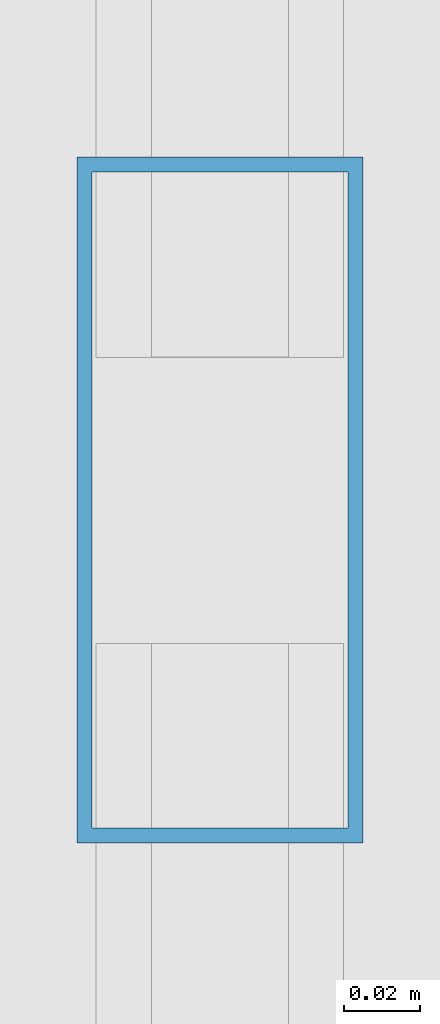
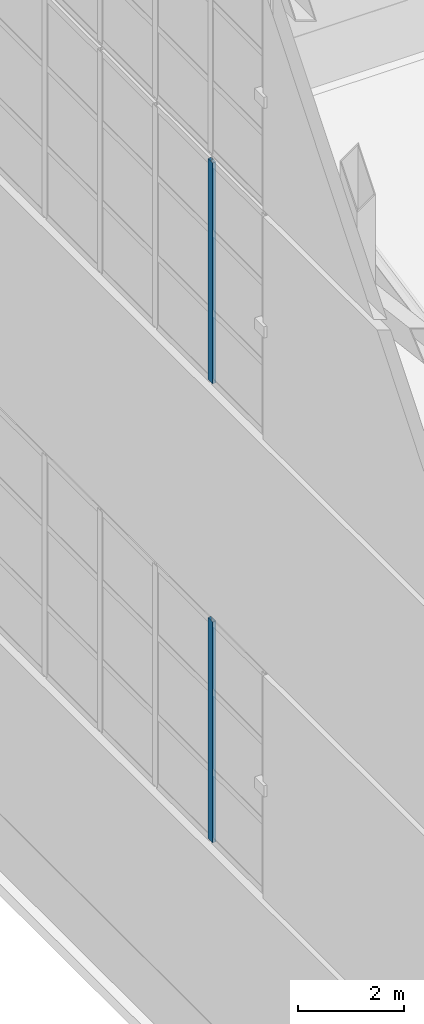
# One storey, part 5 of 47: 2 members, 2 elements without a shape of their own.
"""IFC4 building model written with IfcOpenShell, lengths in metres."""

from ifc_helpers import new_model, si_unit, direction, frame, origin, origin_2d, place, context, subcontext, project, spatial, hollow_rectangle, extrude, material, layer, layer_set, material_profile, profile_set, type_object, element, aggregate, save


model = new_model("IFC4")

# Units and contexts
model_context = context("Model", 3, precision=1e-05, world=origin(), true_north=direction((0.0, 1.0)))
body_context = subcontext(model_context, "Body", "Model", "MODEL_VIEW")
ifc_project = project(units=[si_unit("LENGTHUNIT", "METRE"), si_unit("AREAUNIT", "SQUARE_METRE"), si_unit("VOLUMEUNIT", "CUBIC_METRE"), si_unit("PLANEANGLEUNIT", "RADIAN"), si_unit("MASSUNIT", "GRAM", prefix="KILO")], contexts=[model_context])

# Site, building, storey
site_placement = place(None, origin())
site = spatial("IfcSite", under=ifc_project, at=site_placement, CompositionType="ELEMENT")
building_placement = place(site_placement, origin())
building = spatial("IfcBuilding", under=site, at=building_placement, Name="Qiaolan Cultural Towers", CompositionType="ELEMENT")
storey_placement = place(building_placement, frame((0.0, 0.0, 280.199951171875)))
storey = spatial("IfcBuildingStorey", under=building, at=storey_placement, Name="RF", CompositionType="ELEMENT", Elevation=280.199951171875)

# Curtain wall, member
ifc_material_1 = material(Name="Unitized Anodized Aluminium Curtain Wall System", Category="aluminium")
ifc_layer = layer(ifc_material_1, 0.199951171875)
ifc_layer_set = layer_set([ifc_layer], Name="Unitized Anodized Aluminium Curtain Wall System")
curtain_wall_type = type_object("IfcCurtainWallType", Name="CWS-06", PredefinedType="NOTDEFINED", material=ifc_layer_set)
curtain_wall_1_placement = place(storey_placement, origin())
curtain_wall_1 = element("IfcCurtainWall", 1, at=curtain_wall_1_placement, inside=storey, type_object=curtain_wall_type, Name="T1 Crown Tier 2 Fritted Screen Curtain Wall 7", PredefinedType="NOTDEFINED")
ifc_material_2 = material(Name="Extruded Aluminium 6063-T6", Category="aluminium")
ifc_material_profile = material_profile(ifc_material_2, hollow_rectangle(XDim=0.074951171875, YDim=0.179931640625, WallThickness=0.00390625, at=origin_2d()), Name="CWM-180x75x4")
ifc_profile_set = profile_set([ifc_material_profile], Name="Extruded Aluminium 6063-T6")
member_type = type_object("IfcMemberType", Name="CWS-06-MUL", PredefinedType="MULLION", material=ifc_profile_set)
member_1_placement = place(storey_placement, frame((14.949951171875, 29.820068359375, 5.400146484375), z_axis=(0.0, 0.0, 1.0), x_axis=(1.0, 0.0, 0.0)))
member_1 = element("IfcMember", 2, at=member_1_placement, type_object=member_type, Name="CW-6 mullion 6", PredefinedType="MULLION", context=body_context, shape_type="SweptSolid", body=[
    extrude(hollow_rectangle(XDim=0.074951171875, YDim=0.179931640625, WallThickness=0.00390625, at=origin_2d()), origin(), (0.0, 0.0, 1.0), 5.099853515625),
])
aggregate(curtain_wall_1, [member_1])

curtain_wall_2_placement = place(storey_placement, origin())
curtain_wall_2 = element("IfcCurtainWall", 3, at=curtain_wall_2_placement, inside=storey, type_object=curtain_wall_type, Name="T1 Crown Tier 4 Fritted Screen Curtain Wall 7", PredefinedType="NOTDEFINED")
member_2_placement = place(storey_placement, frame((14.949951171875, 29.820068359375, 16.0), z_axis=(0.0, 0.0, 1.0), x_axis=(1.0, 0.0, 0.0)))
member_2 = element("IfcMember", 4, at=member_2_placement, type_object=member_type, Name="CW-6 mullion 6", PredefinedType="MULLION", context=body_context, shape_type="SweptSolid", body=[
    extrude(hollow_rectangle(XDim=0.074951171875, YDim=0.179931640625, WallThickness=0.00390625, at=origin_2d()), origin(), (0.0, 0.0, 1.0), 5.10009765625),
])
aggregate(curtain_wall_2, [member_2])

save(model, "model.ifc")
